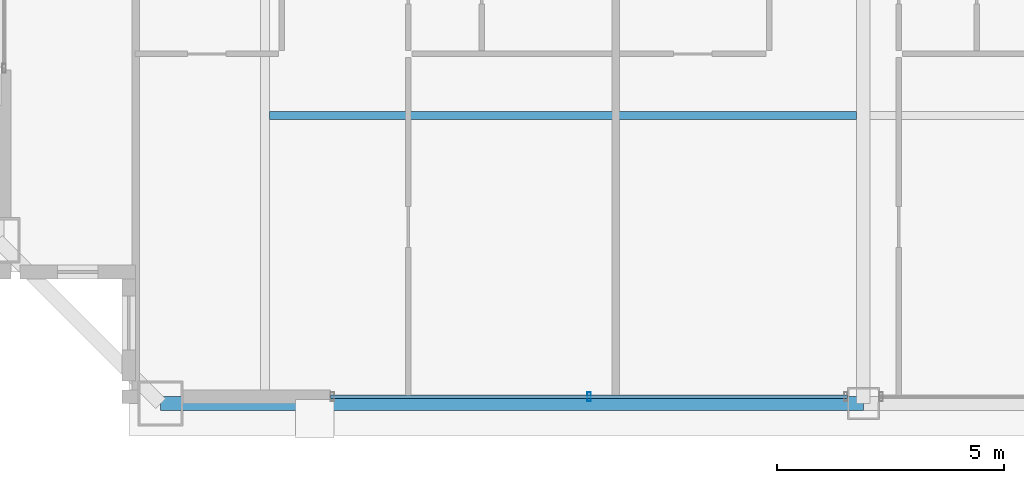
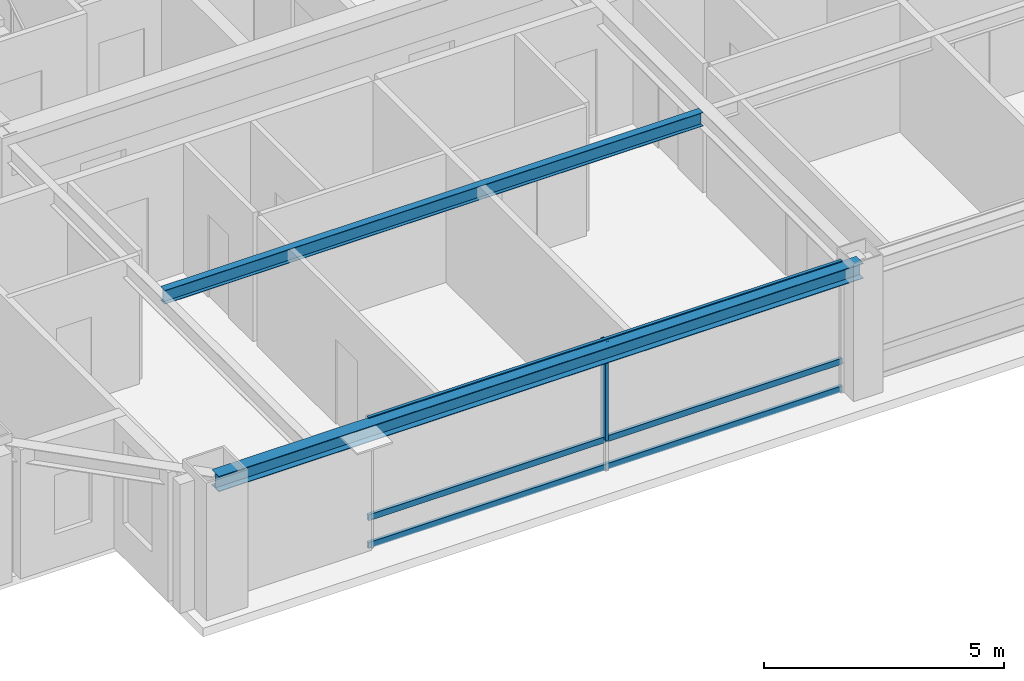
# One storey, part 5 of 35: 4 members, 2 beams, 1 element without a shape of its own.
"""IFC4 building model written with IfcOpenShell, lengths in metres."""

from ifc_helpers import new_model, si_unit, direction, frame, origin, origin_2d, place, context, subcontext, project, spatial, hollow_rectangle, i_section, extrude, source, transform, mapped, material, layer, layer_set, material_profile, profile_set, type_object, element, aggregate, save


model = new_model("IFC4")

# Units and contexts
model_context = context("Model", 3, precision=1e-05, world=origin(), true_north=direction((0.0, 1.0)))
body_context = subcontext(model_context, "Body", "Model", "MODEL_VIEW")
ifc_project = project(units=[si_unit("LENGTHUNIT", "METRE"), si_unit("AREAUNIT", "SQUARE_METRE"), si_unit("VOLUMEUNIT", "CUBIC_METRE"), si_unit("PLANEANGLEUNIT", "RADIAN"), si_unit("MASSUNIT", "GRAM", prefix="KILO"), si_unit("THERMODYNAMICTEMPERATUREUNIT", "KELVIN"), si_unit("POWERUNIT", "WATT")], contexts=[model_context])

# Site, building, storey
site_placement = place(None, origin())
site = spatial("IfcSite", under=ifc_project, at=site_placement, CompositionType="ELEMENT")
building_placement = place(site_placement, origin())
building = spatial("IfcBuilding", under=site, at=building_placement, Name="Yuzanri Waterfront Tower", CompositionType="ELEMENT")
storey_placement = place(building_placement, frame((0.0, 0.0, 289.10009765625)))
storey = spatial("IfcBuildingStorey", under=building, at=storey_placement, Name="L77", CompositionType="ELEMENT", Elevation=289.10009765625)

# Beams
ifc_material_1 = material(Name="Steel Q355B", Category="steel")
ifc_material_profile_1 = material_profile(ifc_material_1, i_section(OverallWidth=0.175048828125, OverallDepth=0.35009765625, WebThickness=0.007080078125, FlangeThickness=0.010986328125, at=origin_2d()), Name="HN 350x175x7x11")
ifc_profile_set_1 = profile_set([ifc_material_profile_1], Name="Steel Q355B")
beam_type_1 = type_object("IfcBeamType", Name="Floor Joist Q355B HN 350x175", PredefinedType="JOIST", material=ifc_profile_set_1)
shared_shape_1 = source(origin(), body_context, "Body", "SweptSolid", [
    extrude(i_section(OverallWidth=0.175048828125, OverallDepth=0.35009765625, WebThickness=0.007080078125, FlangeThickness=0.010986328125, at=origin_2d()), origin(), (0.0, 0.0, 1.0), 12.9501953125),
])
beam_1_placement = place(storey_placement, frame((23.89990234375, 13.050048828125, 3.10498046875), z_axis=(1.0, 0.0, 0.0), x_axis=(0.0, 1.0, 0.0)))
element("IfcBeam", 1, at=beam_1_placement, inside=storey, type_object=beam_type_1, Name="L77 South Bay Joist W", PredefinedType="JOIST", context=body_context, shape_type="MappedRepresentation", body=[
    mapped(shared_shape_1, transform((0.0, 0.0, 0.0), scale=1.0)),
])
ifc_material_2 = material(Name="Steel Q355B", Category="steel")
ifc_material_profile_2 = material_profile(ifc_material_2, i_section(OverallWidth=0.300048828125, OverallDepth=0.389892578125, WebThickness=0.010009765625, FlangeThickness=0.01611328125, at=origin_2d()), Name="HM 390x300x10x16")
ifc_profile_set_2 = profile_set([ifc_material_profile_2], Name="Steel Q355B")
beam_type_2 = type_object("IfcBeamType", Name="Perimeter Spandrel Q355B HM 390x300", PredefinedType="SPANDREL", material=ifc_profile_set_2)
shared_shape_2 = source(origin(), body_context, "Body", "SweptSolid", [
    extrude(i_section(OverallWidth=0.300048828125, OverallDepth=0.389892578125, WebThickness=0.010009765625, FlangeThickness=0.01611328125, at=origin_2d()), origin(), (0.0, 0.0, 1.0), 15.5),
])
beam_2_placement = place(storey_placement, frame((21.5, 6.699951171875, 3.0849609375), z_axis=(1.0, 0.0, 0.0), x_axis=(0.0, 1.0, 0.0)))
element("IfcBeam", 2, at=beam_2_placement, inside=storey, type_object=beam_type_2, Name="L77 Perimeter Spandrel S1-S2", PredefinedType="SPANDREL", context=body_context, shape_type="MappedRepresentation", body=[
    mapped(shared_shape_2, transform((0.0, 0.0, 0.0), scale=1.0)),
])

# Curtain wall, members
ifc_material_3 = material(Name="Anodized Architectural Bronze", Category="metal")
ifc_layer = layer(ifc_material_3, 0.159912109375)
ifc_layer_set = layer_set([ifc_layer], Name="Anodized Architectural Bronze")
curtain_wall_type = type_object("IfcCurtainWallType", Name="Anodized Bronze High-Rise Penthouse High-Wind Unitized Curtain Wall 6900", PredefinedType="NOTDEFINED", material=ifc_layer_set)
curtain_wall_placement = place(storey_placement, origin())
curtain_wall = element("IfcCurtainWall", 3, at=curtain_wall_placement, inside=storey, type_object=curtain_wall_type, Name="L77 Curtain Wall CW-L77-SL", PredefinedType="NOTDEFINED")
ifc_material_4 = material(Name="Anodized Architectural Bronze", Category="metal")
ifc_material_profile_3 = material_profile(ifc_material_4, hollow_rectangle(XDim=0.074951171875, YDim=0.199951171875, WallThickness=0.00390625, at=origin_2d()), Name="CWM 75x200")
ifc_profile_set_3 = profile_set([ifc_material_profile_3], Name="Anodized Architectural Bronze")
member_type_1 = type_object("IfcMemberType", Name="Anodized Bronze Primary Curtain-Wall Mullion 75x200", PredefinedType="MULLION", material=ifc_profile_set_3)
shared_shape_3 = source(origin(), body_context, "Body", "SweptSolid", [
    extrude(hollow_rectangle(XDim=0.074951171875, YDim=0.199951171875, WallThickness=0.00390625, at=origin_2d()), origin(), (0.0, 0.0, 1.0), 2.52392578125),
])
member_1_placement = place(storey_placement, frame((30.949951171875, 6.85009765625, 0.755859375), z_axis=(0.0, 0.0, 1.0), x_axis=(1.0, 0.0, 0.0)))
member_1 = element("IfcMember", 4, at=member_1_placement, type_object=member_type_1, Name="CW-L77-SL Upper Mullion 01", PredefinedType="MULLION", context=body_context, shape_type="MappedRepresentation", body=[
    mapped(shared_shape_3, transform((0.0, 0.0, 0.0), scale=1.0)),
])
ifc_material_5 = material(Name="Anodized Architectural Bronze", Category="metal")
ifc_material_profile_4 = material_profile(ifc_material_5, hollow_rectangle(XDim=0.074951171875, YDim=0.14990234375, WallThickness=0.00390625, at=origin_2d()), Name="CWT 75x150")
ifc_profile_set_4 = profile_set([ifc_material_profile_4], Name="Anodized Architectural Bronze")
member_type_2 = type_object("IfcMemberType", Name="Anodized Bronze Primary Curtain-Wall Transom 75x150", PredefinedType="USERDEFINED", material=ifc_profile_set_4)
shared_shape_4 = source(origin(), body_context, "Body", "SweptSolid", [
    extrude(hollow_rectangle(XDim=0.074951171875, YDim=0.14990234375, WallThickness=0.00390625, at=origin_2d()), origin(), (0.0, 0.0, 1.0), 11.39990234375),
])
member_2_placement = place(storey_placement, frame((25.25, 6.85009765625, 0.0498046875), z_axis=(1.0, 0.0, 0.0), x_axis=(0.0, 1.0, 0.0)))
member_2 = element("IfcMember", 5, at=member_2_placement, type_object=member_type_2, Name="CW-L77-SL Transom 1", ObjectType="TRANSOM", PredefinedType="USERDEFINED", context=body_context, shape_type="MappedRepresentation", body=[
    mapped(shared_shape_4, transform((0.0, 0.0, 0.0), scale=1.0)),
])
member_3_placement = place(storey_placement, frame((25.25, 6.85009765625, 0.75390625), z_axis=(1.0, 0.0, 0.0), x_axis=(0.0, 1.0, 0.0)))
member_3 = element("IfcMember", 6, at=member_3_placement, type_object=member_type_2, Name="CW-L77-SL Transom 2", ObjectType="TRANSOM", PredefinedType="USERDEFINED", context=body_context, shape_type="MappedRepresentation", body=[
    mapped(shared_shape_4, transform((0.0, 0.0, 0.0), scale=1.0)),
])
member_4_placement = place(storey_placement, frame((25.25, 6.85009765625, 3.22998046875), z_axis=(1.0, 0.0, 0.0), x_axis=(0.0, 1.0, 0.0)))
member_4 = element("IfcMember", 7, at=member_4_placement, type_object=member_type_2, Name="CW-L77-SL Transom 3", ObjectType="TRANSOM", PredefinedType="USERDEFINED", context=body_context, shape_type="MappedRepresentation", body=[
    mapped(shared_shape_4, transform((0.0, 0.0, 0.0), scale=1.0)),
])
aggregate(curtain_wall, [member_1, member_2, member_3, member_4])

save(model, "model.ifc")
